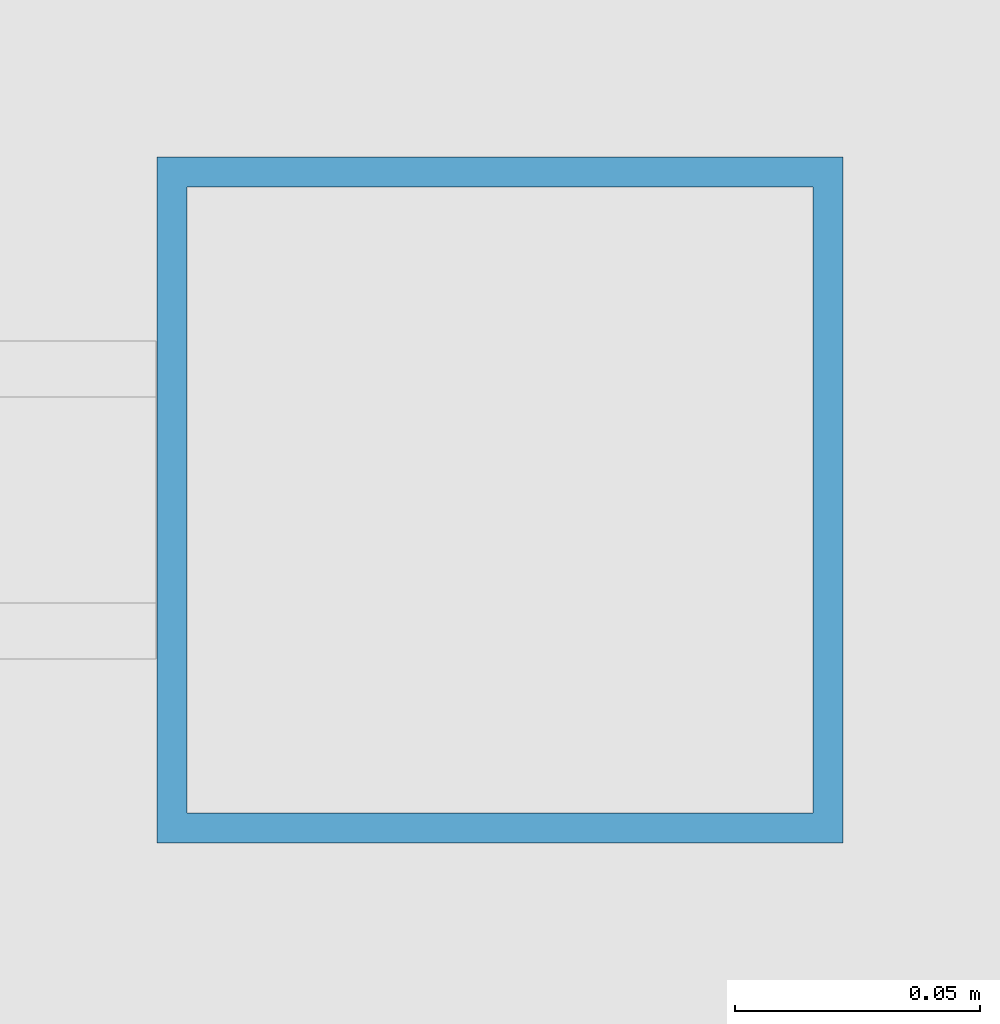
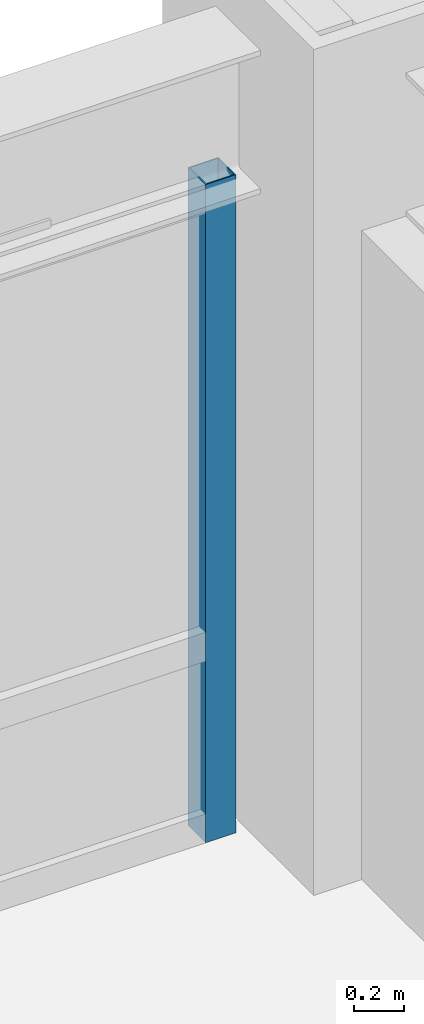
# One storey, part 21 of 32: 1 member, 1 element without a shape of its own.
"""IFC4 building model written with IfcOpenShell, lengths in metres."""

import ifcopenshell
import ifcopenshell.guid

model = None  # the IFC model being written
_history = None  # IfcOwnerHistory: only IFC2X3 demands one
_inside = {}  # id of a spatial element -> (the spatial element, [elements in it])
_under = {}  # id of a project, library or spatial element -> (it, [spatial elements below it])
_declared = {}  # id of a project -> (the project, [libraries it declares])
_typed = {}  # id of a type object -> (the type object, [elements of that type])
_made_of = {}  # id of a material, layer set ... -> (it, [elements and type objects made of it])


def new_model(schema):
    """Start an empty IFC model of exactly this schema.

    Asked for "IFC4X3", IfcOpenShell would pick the latest addendum, in which some entities
    have other attributes; the version numbers below select the first issue.
    IFC2X3 requires an IfcOwnerHistory on every rooted entity: one is made here for all.
    """
    global model, _history
    if schema == "IFC4X3":
        model = ifcopenshell.file(schema_version=(4, 3, 0, 0))
    else:
        model = ifcopenshell.file(schema=schema)
    _inside.clear()
    _under.clear()
    _declared.clear()
    _typed.clear()
    _made_of.clear()
    _history = None
    if model.schema == "IFC2X3":
        org = make("IfcOrganization", Name="unknown")
        user = make(
            "IfcPersonAndOrganization",
            ThePerson=make("IfcPerson", FamilyName="unknown"),
            TheOrganization=org,
        )
        app = make(
            "IfcApplication",
            ApplicationDeveloper=org,
            Version="unknown",
            ApplicationFullName="unknown",
            ApplicationIdentifier="unknown",
        )
        _history = make(
            "IfcOwnerHistory",
            OwningUser=user,
            OwningApplication=app,
            ChangeAction="ADDED",
            CreationDate=0,
        )
    return model


def make(cls, **values):
    """One entity of the class cls with the attributes given. An attribute that is None is left unset."""
    return model.create_entity(
        cls, **{name: value for name, value in values.items() if value is not None}
    )


def rooted(cls, **values):
    """An entity with a GlobalId (a new one), such as an element, a storey or a relation."""
    return make(cls, GlobalId=ifcopenshell.guid.new(), OwnerHistory=_history, **values)


def si_unit(unit_type, name, prefix=None):
    """IfcSIUnit, for example si_unit("LENGTHUNIT", "METRE", prefix="MILLI")."""
    return make("IfcSIUnit", UnitType=unit_type, Prefix=prefix, Name=name)


def assignment(units):
    """IfcUnitAssignment: the units of a project."""
    return None if units is None else make("IfcUnitAssignment", Units=units)


def point(xyz):
    """IfcCartesianPoint."""
    return None if xyz is None else make("IfcCartesianPoint", Coordinates=xyz)


def direction(xyz):
    """IfcDirection."""
    return None if xyz is None else make("IfcDirection", DirectionRatios=xyz)


def frame(location, z_axis=None, x_axis=None):
    """IfcAxis2Placement3D, a coordinate frame: its origin and axes. An axis left out is left unset."""
    return make(
        "IfcAxis2Placement3D",
        Location=point(location),
        Axis=direction(z_axis),
        RefDirection=direction(x_axis),
    )


def frame_2d(location, x_axis=None):
    """IfcAxis2Placement2D, a coordinate frame in the plane: its origin and x axis."""
    return make(
        "IfcAxis2Placement2D", Location=point(location), RefDirection=direction(x_axis)
    )


def origin():
    """The frame at (0, 0, 0) with its axes left unset."""
    return frame((0.0, 0.0, 0.0))


def origin_2d():
    """The frame at (0, 0) in the plane with its x axis left unset."""
    return frame_2d((0.0, 0.0))


def place(relative_to, where):
    """IfcLocalPlacement: puts the frame where relative to a parent placement (None: the world)."""
    return make(
        "IfcLocalPlacement", PlacementRelTo=relative_to, RelativePlacement=where
    )


def context(
    kind, dimensions, precision=None, world=None, true_north=None, identifier=None
):
    """IfcGeometricRepresentationContext, for example the 3D "Model" context."""
    return make(
        "IfcGeometricRepresentationContext",
        ContextIdentifier=identifier,
        ContextType=kind,
        CoordinateSpaceDimension=dimensions,
        Precision=precision,
        WorldCoordinateSystem=world,
        TrueNorth=true_north,
    )


def subcontext(parent, identifier, kind, view, scale=None):
    """IfcGeometricRepresentationSubContext, for example "Body" below "Model"."""
    return make(
        "IfcGeometricRepresentationSubContext",
        ContextIdentifier=identifier,
        ContextType=kind,
        ParentContext=parent,
        TargetScale=scale,
        TargetView=view,
    )


def project(units=None, contexts=None):
    """IfcProject with its units and contexts."""
    return rooted(
        "IfcProject",
        Name="project",
        RepresentationContexts=contexts,
        UnitsInContext=assignment(units),
    )


def spatial(cls, under=None, at=None, **own):
    """A site, building, storey or space (cls), placed at a placement, below another one or the project."""
    s = rooted(cls, ObjectPlacement=at, **own)
    if under is not None:
        _under.setdefault(under.id(), (under, []))[1].append(s)
    return s


def profile(cls, at=None, kind="AREA", **sizes):
    """A parametric profile (cls). Its sizes go by their IFC names, for example OverallWidth=200.0."""
    return make(cls, ProfileType=kind, Position=at, **sizes)


def hollow_rectangle(**sizes):
    """IfcRectangleHollowProfileDef."""
    return profile("IfcRectangleHollowProfileDef", **sizes)


def extrude(swept, where, along, depth):
    """IfcExtrudedAreaSolid: the profile swept, set in the frame where, extruded along a direction by depth."""
    return make(
        "IfcExtrudedAreaSolid",
        SweptArea=swept,
        Position=where,
        ExtrudedDirection=direction(along),
        Depth=depth,
    )


def shape(context_of_items, identifier, shape_type, items):
    """IfcShapeRepresentation: the items that make up one representation, for example the "Body"."""
    return make(
        "IfcShapeRepresentation",
        ContextOfItems=context_of_items,
        RepresentationIdentifier=identifier,
        RepresentationType=shape_type,
        Items=items,
    )


def source(mapping_origin, context_of_items, identifier, shape_type, items):
    """IfcRepresentationMap: a shape defined once, which mapped items show again and again."""
    return make(
        "IfcRepresentationMap",
        MappingOrigin=mapping_origin,
        MappedRepresentation=shape(context_of_items, identifier, shape_type, items),
    )


def transform(
    local_origin,
    x_axis=None,
    y_axis=None,
    z_axis=None,
    scale=None,
    scale2=None,
    scale3=None,
    uniform=True,
):
    """IfcCartesianTransformationOperator3D, or its non-uniform kind. x_axis, y_axis, z_axis: its Axis1, 2, 3."""
    if uniform:
        return make(
            "IfcCartesianTransformationOperator3D",
            Axis1=direction(x_axis),
            Axis2=direction(y_axis),
            LocalOrigin=point(local_origin),
            Scale=scale,
            Axis3=direction(z_axis),
        )
    return make(
        "IfcCartesianTransformationOperator3DnonUniform",
        Axis1=direction(x_axis),
        Axis2=direction(y_axis),
        LocalOrigin=point(local_origin),
        Scale=scale,
        Axis3=direction(z_axis),
        Scale2=scale2,
        Scale3=scale3,
    )


def mapped(mapping_source, mapping_target):
    """IfcMappedItem: shows the shape of a source again, moved by a transform."""
    return make(
        "IfcMappedItem", MappingSource=mapping_source, MappingTarget=mapping_target
    )


def material(Name=None, Category=None):
    """IfcMaterial."""
    return make("IfcMaterial", Name=Name, Category=Category)


def material_profile(
    of_material, cross_section, Name=None, Category=None, Priority=None
):
    """IfcMaterialProfile: a cross section and its material."""
    return make(
        "IfcMaterialProfile",
        Name=Name,
        Material=of_material,
        Profile=cross_section,
        Priority=Priority,
        Category=Category,
    )


def profile_set(profiles, Name=None, composite=None):
    """IfcMaterialProfileSet."""
    return make(
        "IfcMaterialProfileSet",
        Name=Name,
        MaterialProfiles=profiles,
        CompositeProfile=composite,
    )


def made_of(thing, what):
    """Note that an element or type object is made of a material, layer set ...; save() writes the relation."""
    if what is not None:
        _made_of.setdefault(what.id(), (what, []))[1].append(thing)
    return thing


def type_object(cls, material=None, **own):
    """A type object (cls), such as IfcWallType, which elements share."""
    return made_of(rooted(cls, **own), material)


def element(
    cls,
    number,
    at=None,
    inside=None,
    cuts=None,
    type_object=None,
    material=None,
    context=None,
    identifier="Body",
    shape_type=None,
    held_by="IfcProductDefinitionShape",
    body=None,
    shapes=None,
    **own,
):
    """One element of the class cls, such as IfcWall. Its Tag is "e" and its number.

    at: its placement. inside: the storey or other place that contains it. cuts: it is an
    opening in that element (IfcRelVoidsElement). A single representation is given by context,
    identifier, shape_type and body (its items); several are given by shapes. held_by: the class
    of the entity that holds the representations. save() writes the other relations.
    """
    e = rooted(cls, Tag="e%d" % number, ObjectPlacement=at, **own)
    if body is not None:
        shapes = [shape(context, identifier, shape_type, body)]
    if shapes is not None:
        e.Representation = make(held_by, Representations=shapes)
    if inside is not None:
        _inside.setdefault(inside.id(), (inside, []))[1].append(e)
    if cuts is not None:
        rooted(
            "IfcRelVoidsElement", RelatingBuildingElement=cuts, RelatedOpeningElement=e
        )
    if type_object is not None:
        _typed.setdefault(type_object.id(), (type_object, []))[1].append(e)
    return made_of(e, material)


def aggregate(whole, parts):
    """IfcRelAggregates: a whole, such as a stair, and the parts it consists of."""
    return rooted("IfcRelAggregates", RelatingObject=whole, RelatedObjects=parts)


def save(model, path):
    """Write the relations noted so far, then the file.

    IfcRelAggregates (storeys below a building ...), IfcRelContainedInSpatialStructure (elements
    in a storey), IfcRelDefinesByType, IfcRelAssociatesMaterial and IfcRelDeclares: one each for
    every whole, place, type object, material and project.
    """
    for whole, parts in _under.values():
        aggregate(whole, parts)
    for where, things in _inside.values():
        rooted(
            "IfcRelContainedInSpatialStructure",
            RelatedElements=things,
            RelatingStructure=where,
        )
    for kind, things in _typed.values():
        rooted("IfcRelDefinesByType", RelatedObjects=things, RelatingType=kind)
    for what, things in _made_of.values():
        rooted("IfcRelAssociatesMaterial", RelatedObjects=things, RelatingMaterial=what)
    for by, libraries in _declared.values():
        rooted("IfcRelDeclares", RelatingContext=by, RelatedDefinitions=libraries)
    model.write(path)


model = new_model("IFC4")

# Units and contexts
model_context = context("Model", 3, precision=1e-05, world=origin(), true_north=direction((0.0, 1.0)))
body_context = subcontext(model_context, "Body", "Model", "MODEL_VIEW")
ifc_project = project(units=[si_unit("LENGTHUNIT", "METRE"), si_unit("AREAUNIT", "SQUARE_METRE"), si_unit("VOLUMEUNIT", "CUBIC_METRE"), si_unit("PLANEANGLEUNIT", "RADIAN"), si_unit("MASSUNIT", "GRAM", prefix="KILO")], contexts=[model_context])

# Site, building, storey
site_placement = place(None, origin())
site = spatial("IfcSite", under=ifc_project, at=site_placement, CompositionType="ELEMENT")
building_placement = place(site_placement, origin())
building = spatial("IfcBuilding", under=site, at=building_placement, Name="Khorayat Bourse Tower", CompositionType="ELEMENT")
storey_placement = place(building_placement, frame((0.0, 0.0, 99.60009765625)))
storey = spatial("IfcBuildingStorey", under=building, at=storey_placement, Name="L22", CompositionType="ELEMENT", Elevation=99.60009765625)

# Curtain wall, member
ifc_material = material(Name="Aluminium EN AW-6063 T6", Category="aluminium")
curtain_wall_type = type_object("IfcCurtainWallType", Name="CW-SYS-02", PredefinedType="NOTDEFINED", material=ifc_material)
curtain_wall_placement = place(storey_placement, origin())
curtain_wall = element("IfcCurtainWall", 1, at=curtain_wall_placement, inside=storey, type_object=curtain_wall_type, Name="L22 Curtain Wall CW-L22-N1", PredefinedType="NOTDEFINED")
ifc_material_profile = material_profile(ifc_material, hollow_rectangle(XDim=0.139892578125, YDim=0.139892578125, WallThickness=0.006103515625, at=origin_2d()), Name="ALU 140x140x6")
ifc_profile_set = profile_set([ifc_material_profile], Name="Aluminium EN AW-6063 T6")
member_type = type_object("IfcMemberType", Name="CWM-VERT-140", PredefinedType="MULLION", material=ifc_profile_set)
shared_shape = source(origin(), body_context, "Body", "SweptSolid", [
    extrude(hollow_rectangle(XDim=0.139892578125, YDim=0.139892578125, WallThickness=0.006103515625, at=origin_2d()), origin(), (0.0, 0.0, 1.0), 3.18994140625),
])
member_placement = place(storey_placement, frame((27.280029296875, 32.0, 0.0), z_axis=(0.0, 0.0, 1.0), x_axis=(0.0, 1.0, 0.0)))
member = element("IfcMember", 2, at=member_placement, type_object=member_type, Name="CW-L22-N1 Vertical Mullion 3", PredefinedType="MULLION", context=body_context, shape_type="MappedRepresentation", body=[
    mapped(shared_shape, transform((0.0, 0.0, 0.0), scale=1.0)),
])
aggregate(curtain_wall, [member])

save(model, "model.ifc")
